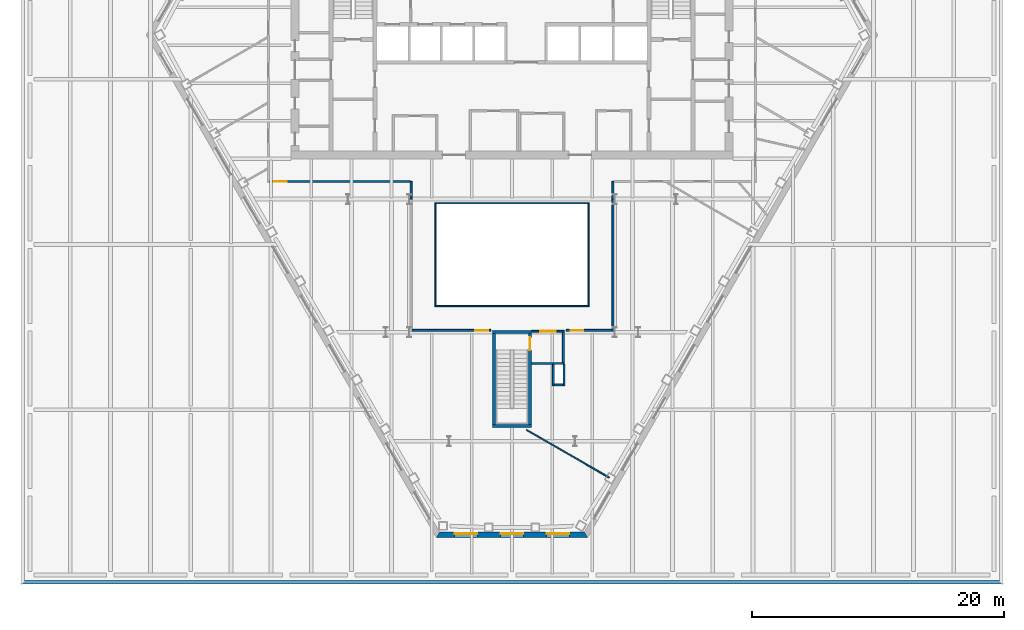
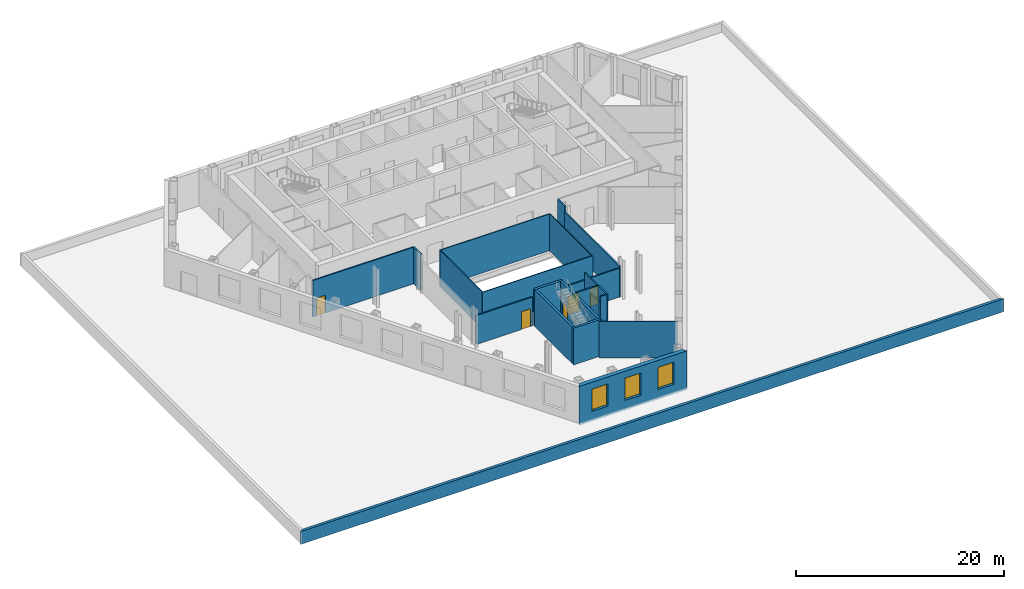
# One storey, part 6 of 14: 23 walls, 5 doors, 3 windows, 8 openings.
"""IFC4 building model written with IfcOpenShell, lengths in metres."""

from ifc_helpers import new_model, si_unit, direction, frame, frame_2d, origin, place, context, subcontext, project, spatial, polyline, rectangle, outline, extrude, material, layer, layer_set, type_object, element, fill, save


model = new_model("IFC4")

# Units and contexts
model_context = context("Model", 3, precision=1e-05, world=origin(), true_north=direction((0.0, 1.0)))
body_context = subcontext(model_context, "Body", "Model", "MODEL_VIEW")
ifc_project = project(units=[si_unit("LENGTHUNIT", "METRE"), si_unit("AREAUNIT", "SQUARE_METRE"), si_unit("VOLUMEUNIT", "CUBIC_METRE"), si_unit("PLANEANGLEUNIT", "RADIAN"), si_unit("MASSUNIT", "GRAM", prefix="KILO")], contexts=[model_context])

# Site, building, storey
site_placement = place(None, origin())
site = spatial("IfcSite", under=ifc_project, at=site_placement, CompositionType="ELEMENT")
building_placement = place(site_placement, origin())
building = spatial("IfcBuilding", under=site, at=building_placement, Name="Njiva Tower", CompositionType="ELEMENT")
storey_placement = place(building_placement, frame((0.0, 0.0, 28.8)))
storey = spatial("IfcBuildingStorey", under=building, at=storey_placement, Name="L05", CompositionType="ELEMENT", Elevation=28.8)

# Wall
ifc_material_1 = material(Name="Gypsum board on steel studs", Category="gypsum")
ifc_layer_1 = layer(ifc_material_1, 0.1)
ifc_layer_set_1 = layer_set([ifc_layer_1], Name="Gypsum board on steel studs")
wall_type_1 = type_object("IfcWallType", Name="WT20 Gypsum partition 100", PredefinedType="PARTITIONING", material=ifc_layer_set_1)
wall_1_placement = place(storey_placement, frame((1.157, -21.493, 0.0), z_axis=(0.0, 0.0, 1.0), x_axis=(0.865881620636, -0.500248957066, 0.0)))
element("IfcWall", 1, at=wall_1_placement, inside=storey, type_object=wall_type_1, Name="Partition S01-P008", PredefinedType="PARTITIONING", context=body_context, shape_type="SweptSolid", body=[
    extrude(rectangle(XDim=7.5622, YDim=0.1, at=frame_2d((3.7811, 0.0))), origin(), (0.0, 0.0, 1.0), 4.3),
])

# Wall, opening, door
ifc_layer_2 = layer(ifc_material_1, 0.15)
ifc_layer_set_2 = layer_set([ifc_layer_2], Name="Gypsum board on steel studs")
wall_type_2 = type_object("IfcWallType", Name="WT21 Compartment wall 150", PredefinedType="PARTITIONING", material=ifc_layer_set_2)
wall_2_placement = place(storey_placement, frame((-19.225, -1.8, 0.0), z_axis=(0.0, 0.0, 1.0), x_axis=(1.0, 0.0, 0.0)))
wall_2 = element("IfcWall", 2, at=wall_2_placement, inside=storey, type_object=wall_type_2, Name="Partition S01-P005", PredefinedType="PARTITIONING", context=body_context, shape_type="SweptSolid", body=[
    extrude(rectangle(XDim=11.15, YDim=0.15, at=frame_2d((5.575, 0.0))), origin(), (0.0, 0.0, 1.0), 4.3),
])
opening_1_placement = place(wall_2_placement, frame((0.369, 0.0, 0.0)))
opening_1 = element("IfcOpeningElement", 3, at=opening_1_placement, cuts=wall_2, Name="Opening S01-D005", PredefinedType="OPENING", context=body_context, shape_type="SweptSolid", body=[
    extrude(rectangle(XDim=1.0, YDim=2.1, at=frame_2d((0.5, 1.05))), frame((0.0, 0.085, 0.0), z_axis=(0.0, -1.0, 0.0), x_axis=(1.0, 0.0, 0.0)), (0.0, 0.0, 1.0), 0.17),
])
ifc_material_2 = material(Name="Steel fire door set", Category="steel")
door_type_1 = type_object("IfcDoorType", Name="D37 Fire door 1000x2100", OperationType="SINGLE_SWING_LEFT", PredefinedType="DOOR", material=ifc_material_2)
door_1_placement = place(opening_1_placement, origin())
door_1 = element("IfcDoor", 4, at=door_1_placement, inside=storey, type_object=door_type_1, Name="Door S01-D005", OperationType="SINGLE_SWING_RIGHT", OverallHeight=2.1, OverallWidth=1.0, PredefinedType="DOOR", context=body_context, shape_type="SweptSolid", body=[
    extrude(rectangle(XDim=1.0, YDim=2.1, at=frame_2d((0.5, 1.05))), frame((0.0, 0.025, 0.0), z_axis=(0.0, -1.0, 0.0), x_axis=(1.0, 0.0, 0.0)), (0.0, 0.0, 1.0), 0.05),
])
fill(opening_1, door_1)

# Wall
wall_3_placement = place(storey_placement, frame((-8.0, -3.2, 0.0), z_axis=(0.0, 0.0, 1.0), x_axis=(0.0, 1.0, 0.0)))
element("IfcWall", 5, at=wall_3_placement, inside=storey, type_object=wall_type_2, Name="Partition S01-P006A", PredefinedType="PARTITIONING", context=body_context, shape_type="SweptSolid", body=[
    extrude(rectangle(XDim=1.411, YDim=0.15, at=frame_2d((0.7055, 0.0))), origin(), (0.0, 0.0, 1.0), 4.3),
])

# Wall, opening, door
wall_4_placement = place(storey_placement, frame((-7.925, -13.6, 0.0), z_axis=(0.0, 0.0, 1.0), x_axis=(1.0, 0.0, 0.0)))
wall_4 = element("IfcWall", 6, at=wall_4_placement, inside=storey, type_object=wall_type_2, Name="Partition S01-P007", PredefinedType="PARTITIONING", context=body_context, shape_type="SweptSolid", body=[
    extrude(rectangle(XDim=6.225, YDim=0.15, at=frame_2d((3.1125, 0.0))), origin(), (0.0, 0.0, 1.0), 3.39),
])
opening_2_placement = place(wall_4_placement, frame((5.025, 0.0, 0.0)))
opening_2 = element("IfcOpeningElement", 7, at=opening_2_placement, cuts=wall_4, Name="Opening S01-D006", PredefinedType="OPENING", context=body_context, shape_type="SweptSolid", body=[
    extrude(rectangle(XDim=1.0, YDim=2.1, at=frame_2d((0.5, 1.05))), frame((0.0, 0.085, 0.0), z_axis=(0.0, -1.0, 0.0), x_axis=(1.0, 0.0, 0.0)), (0.0, 0.0, 1.0), 0.17),
])
door_2_placement = place(opening_2_placement, origin())
door_2 = element("IfcDoor", 8, at=door_2_placement, inside=storey, type_object=door_type_1, Name="Door S01-D006", OperationType="SINGLE_SWING_LEFT", OverallHeight=2.1, OverallWidth=1.0, PredefinedType="DOOR", context=body_context, shape_type="SweptSolid", body=[
    extrude(rectangle(XDim=1.0, YDim=2.1, at=frame_2d((0.5, 1.05))), frame((0.0, 0.025, 0.0), z_axis=(0.0, -1.0, 0.0), x_axis=(1.0, 0.0, 0.0)), (0.0, 0.0, 1.0), 0.05),
])
fill(opening_2, door_2)

wall_5_placement = place(storey_placement, frame((4.3, -13.6, 0.0), z_axis=(0.0, 0.0, 1.0), x_axis=(1.0, 0.0, 0.0)))
wall_5 = element("IfcWall", 9, at=wall_5_placement, inside=storey, type_object=wall_type_2, Name="Partition S01-P009", PredefinedType="PARTITIONING", context=body_context, shape_type="SweptSolid", body=[
    extrude(rectangle(XDim=3.625, YDim=0.15, at=frame_2d((1.8125, 0.0))), origin(), (0.0, 0.0, 1.0), 3.39),
])
opening_3_placement = place(wall_5_placement, frame((0.356, 0.0, 0.0)))
opening_3 = element("IfcOpeningElement", 10, at=opening_3_placement, cuts=wall_5, Name="Opening S01-D007", PredefinedType="OPENING", context=body_context, shape_type="SweptSolid", body=[
    extrude(rectangle(XDim=1.0, YDim=2.1, at=frame_2d((0.5, 1.05))), frame((0.0, 0.085, 0.0), z_axis=(0.0, -1.0, 0.0), x_axis=(1.0, 0.0, 0.0)), (0.0, 0.0, 1.0), 0.17),
])
door_3_placement = place(opening_3_placement, origin())
door_3 = element("IfcDoor", 11, at=door_3_placement, inside=storey, type_object=door_type_1, Name="Door S01-D007", OperationType="SINGLE_SWING_RIGHT", OverallHeight=2.1, OverallWidth=1.0, PredefinedType="DOOR", context=body_context, shape_type="SweptSolid", body=[
    extrude(rectangle(XDim=1.0, YDim=2.1, at=frame_2d((0.5, 1.05))), frame((0.0, 0.025, 0.0), z_axis=(0.0, -1.0, 0.0), x_axis=(1.0, 0.0, 0.0)), (0.0, 0.0, 1.0), 0.05),
])
fill(opening_3, door_3)

# Walls
wall_6_placement = place(storey_placement, frame((8.0, -13.675, 0.0), z_axis=(0.0, 0.0, 1.0), x_axis=(0.0, 1.0, 0.0)))
element("IfcWall", 12, at=wall_6_placement, inside=storey, type_object=wall_type_2, Name="Partition S01-P010", PredefinedType="PARTITIONING", context=body_context, shape_type="SweptSolid", body=[
    extrude(rectangle(XDim=10.475, YDim=0.15, at=frame_2d((5.2375, 0.0))), origin(), (0.0, 0.0, 1.0), 3.61),
])
wall_7_placement = place(storey_placement, frame((8.0, -3.2, 0.0), z_axis=(0.0, 0.0, 1.0), x_axis=(0.0, 1.0, 0.0)))
element("IfcWall", 13, at=wall_7_placement, inside=storey, type_object=wall_type_2, Name="Partition S01-P010A", PredefinedType="PARTITIONING", context=body_context, shape_type="SweptSolid", body=[
    extrude(rectangle(XDim=1.411, YDim=0.15, at=frame_2d((0.7055, 0.0))), origin(), (0.0, 0.0, 1.0), 4.3),
])
ifc_material_3 = material(Name="Blockwork", Category="masonry")
ifc_layer_3 = layer(ifc_material_3, 0.15)
ifc_layer_set_3 = layer_set([ifc_layer_3], Name="Blockwork")
wall_type_3 = type_object("IfcWallType", Name="WT4 Stair partition 150", PredefinedType="PARTITIONING", material=ifc_layer_set_3)
wall_8_placement = place(storey_placement, frame((1.55, -16.225, 0.0), z_axis=(0.0, 0.0, 1.0), x_axis=(1.0, 0.0, 0.0)))
element("IfcWall", 14, at=wall_8_placement, inside=storey, type_object=wall_type_3, Name="Stair C vestibule wall south", PredefinedType="PARTITIONING", context=body_context, shape_type="SweptSolid", body=[
    extrude(rectangle(XDim=2.6, YDim=0.15, at=frame_2d((1.3, 0.0))), origin(), (0.0, 0.0, 1.0), 4.3),
])
wall_9_placement = place(storey_placement, frame((4.075, -16.15, 0.0), z_axis=(0.0, 0.0, 1.0), x_axis=(0.0, 1.0, 0.0)))
element("IfcWall", 15, at=wall_9_placement, inside=storey, type_object=wall_type_3, Name="Stair C vestibule wall east", PredefinedType="PARTITIONING", context=body_context, shape_type="SweptSolid", body=[
    extrude(rectangle(XDim=2.4, YDim=0.15, at=frame_2d((1.2, 0.0))), origin(), (0.0, 0.0, 1.0), 4.3),
])

# Wall, opening, door
wall_10_placement = place(storey_placement, frame((1.55, -13.675, 0.0), z_axis=(0.0, 0.0, 1.0), x_axis=(1.0, 0.0, 0.0)))
wall_10 = element("IfcWall", 16, at=wall_10_placement, inside=storey, type_object=wall_type_3, Name="Stair C vestibule wall north", PredefinedType="PARTITIONING", context=body_context, shape_type="SweptSolid", body=[
    extrude(rectangle(XDim=2.6, YDim=0.15, at=frame_2d((1.3, 0.0))), origin(), (0.0, 0.0, 1.0), 3.39),
])
opening_4_placement = place(wall_10_placement, frame((0.675, 0.0, 0.0)))
opening_4 = element("IfcOpeningElement", 17, at=opening_4_placement, cuts=wall_10, Name="Opening S01-D940", PredefinedType="OPENING", context=body_context, shape_type="SweptSolid", body=[
    extrude(rectangle(XDim=1.25, YDim=2.1, at=frame_2d((0.625, 1.05))), frame((0.0, 0.085, 0.0), z_axis=(0.0, -1.0, 0.0), x_axis=(1.0, 0.0, 0.0)), (0.0, 0.0, 1.0), 0.17),
])
ifc_material_4 = material(Name="Glazed steel fire door", Category="steel")
door_type_2 = type_object("IfcDoorType", Name="D8 Vestibule corridor door 1250x2100 glazed", OperationType="SINGLE_SWING_LEFT", PredefinedType="DOOR", material=ifc_material_4)
door_4_placement = place(opening_4_placement, origin())
door_4 = element("IfcDoor", 18, at=door_4_placement, inside=storey, type_object=door_type_2, Name="Stair vestibule corridor door", OperationType="SINGLE_SWING_RIGHT", OverallHeight=2.1, OverallWidth=1.25, PredefinedType="DOOR", context=body_context, shape_type="SweptSolid", body=[
    extrude(rectangle(XDim=1.25, YDim=2.1, at=frame_2d((0.625, 1.05))), frame((0.0, 0.025, 0.0), z_axis=(0.0, -1.0, 0.0), x_axis=(1.0, 0.0, 0.0)), (0.0, 0.0, 1.0), 0.05),
])
fill(opening_4, door_4)

# Walls
wall_11_placement = place(storey_placement, frame((3.275, -18.0, 0.0), z_axis=(0.0, 0.0, 1.0), x_axis=(0.0, 1.0, 0.0)))
element("IfcWall", 19, at=wall_11_placement, inside=storey, type_object=wall_type_3, Name="Stair C pressurisation shaft wall", PredefinedType="PARTITIONING", context=body_context, shape_type="SweptSolid", body=[
    extrude(rectangle(XDim=1.7, YDim=0.15, at=frame_2d((0.85, 0.0))), origin(), (0.0, 0.0, 1.0), 3.7),
])
wall_12_placement = place(storey_placement, frame((3.35, -17.925, 0.0), z_axis=(0.0, 0.0, 1.0), x_axis=(1.0, 0.0, 0.0)))
element("IfcWall", 20, at=wall_12_placement, inside=storey, type_object=wall_type_3, Name="Stair C pressurisation shaft wall", PredefinedType="PARTITIONING", context=body_context, shape_type="SweptSolid", body=[
    extrude(rectangle(XDim=0.7, YDim=0.15, at=frame_2d((0.35, 0.0))), origin(), (0.0, 0.0, 1.0), 4.3),
])
wall_13_placement = place(storey_placement, frame((4.125, -18.0, 0.0), z_axis=(0.0, 0.0, 1.0), x_axis=(0.0, 1.0, 0.0)))
element("IfcWall", 21, at=wall_13_placement, inside=storey, type_object=wall_type_3, Name="Stair C pressurisation shaft wall", PredefinedType="PARTITIONING", context=body_context, shape_type="SweptSolid", body=[
    extrude(rectangle(XDim=1.7, YDim=0.15, at=frame_2d((0.85, 0.0))), origin(), (0.0, 0.0, 1.0), 4.3),
])
ifc_material_5 = material(Name="Concrete C40/50", Category="concrete")
ifc_layer_4 = layer(ifc_material_5, 0.25)
ifc_layer_set_4 = layer_set([ifc_layer_4], Name="Concrete C40/50")
wall_type_4 = type_object("IfcWallType", Name="WT9 Stair enclosure wall 250", PredefinedType="SHEAR", material=ifc_layer_set_4)
wall_14_placement = place(storey_placement, frame((-1.425, -21.05, 0.0), z_axis=(0.0, 0.0, 1.0), x_axis=(0.0, 1.0, 0.0)))
element("IfcWall", 22, at=wall_14_placement, inside=storey, type_object=wall_type_4, Name="Stair C wall west", PredefinedType="SHEAR", context=body_context, shape_type="SweptSolid", body=[
    extrude(rectangle(XDim=7.2, YDim=0.25, at=frame_2d((3.6, 0.0))), origin(), (0.0, 0.0, 1.0), 4.3),
])

# Wall, opening, door
wall_15_placement = place(storey_placement, frame((1.425, -21.05, 0.0), z_axis=(0.0, 0.0, 1.0), x_axis=(0.0, 1.0, 0.0)))
wall_15 = element("IfcWall", 23, at=wall_15_placement, inside=storey, type_object=wall_type_4, Name="Stair C wall east", PredefinedType="SHEAR", context=body_context, shape_type="SweptSolid", body=[
    extrude(rectangle(XDim=7.2, YDim=0.25, at=frame_2d((3.6, 0.0))), origin(), (0.0, 0.0, 1.0), 4.3),
])
opening_5_placement = place(wall_15_placement, frame((5.89, 0.0, 0.0)))
opening_5 = element("IfcOpeningElement", 24, at=opening_5_placement, cuts=wall_15, Name="Opening S01-D939", PredefinedType="OPENING", context=body_context, shape_type="SweptSolid", body=[
    extrude(rectangle(XDim=1.0, YDim=2.1, at=frame_2d((0.5, 1.05))), frame((0.0, 0.135, 0.0), z_axis=(0.0, -1.0, 0.0), x_axis=(1.0, 0.0, 0.0)), (0.0, 0.0, 1.0), 0.27),
])
door_type_3 = type_object("IfcDoorType", Name="D9 Stair vestibule door 1000x2100 glazed", OperationType="SINGLE_SWING_LEFT", PredefinedType="DOOR", material=ifc_material_4)
door_5_placement = place(opening_5_placement, origin())
door_5 = element("IfcDoor", 25, at=door_5_placement, inside=storey, type_object=door_type_3, Name="Stair C door", OperationType="SINGLE_SWING_LEFT", OverallHeight=2.1, OverallWidth=1.0, PredefinedType="DOOR", context=body_context, shape_type="SweptSolid", body=[
    extrude(rectangle(XDim=1.0, YDim=2.1, at=frame_2d((0.5, 1.05))), frame((0.0, 0.025, 0.0), z_axis=(0.0, -1.0, 0.0), x_axis=(1.0, 0.0, 0.0)), (0.0, 0.0, 1.0), 0.05),
])
fill(opening_5, door_5)

# Walls
for number, where, z_axis, x_axis, name in (
    (26, (-1.55, -21.175, 0.0), (0.0, 0.0, 1.0), (1.0, 0.0, 0.0), "Stair C wall south"),
    (27, (-1.55, -13.725, 0.0), (0.0, 0.0, 1.0), (1.0, 0.0, 0.0), "Stair C wall north"),
):
    element("IfcWall", number, at=place(storey_placement, frame(where, z_axis=z_axis, x_axis=x_axis)), inside=storey, type_object=wall_type_4, Name=name, PredefinedType="SHEAR", context=body_context, shape_type="SweptSolid", body=[
        extrude(rectangle(XDim=3.1, YDim=0.25, at=frame_2d((1.55, 0.0))), origin(), (0.0, 0.0, 1.0), 4.3),
    ])
ifc_material_6 = material(Name="Brick masonry", Category="masonry")
ifc_layer_5 = layer(ifc_material_6, 0.3)
ifc_layer_set_5 = layer_set([ifc_layer_5], Name="Brick masonry")
wall_type_5 = type_object("IfcWallType", Name="WT92 Terrace parapet wall 300", PredefinedType="PARAPET", material=ifc_layer_set_5)
wall_16_placement = place(storey_placement, frame((-38.85, -33.575, -0.4), z_axis=(0.0, 0.0, 1.0), x_axis=(1.0, 0.0, 0.0)))
element("IfcWall", 28, at=wall_16_placement, inside=storey, type_object=wall_type_5, Name="Terrace parapet", PredefinedType="PARAPET", context=body_context, shape_type="SweptSolid", body=[
    extrude(outline(polyline([(-0.15, -0.15), (77.85, -0.15), (77.55, 0.15), (0.15, 0.15), (-0.15, -0.15)])), origin(), (0.0, 0.0, 1.0), 1.5),
])

# Wall, openings, windows
ifc_material_7 = material(Name="Brick masonry, buff", Category="masonry")
ifc_layer_6 = layer(ifc_material_7, 0.45)
ifc_layer_set_6 = layer_set([ifc_layer_6], Name="Brick masonry, buff")
wall_type_6 = type_object("IfcWallType", Name="WT94 Brick pier and spandrel wall 450, buff", PredefinedType="SOLIDWALL", material=ifc_layer_set_6)
wall_17_placement = place(storey_placement, frame((-5.8701, -29.8045, -0.23), z_axis=(0.0, 0.0, 1.0), x_axis=(1.0, 0.0, 0.0)))
wall_17 = element("IfcWall", 29, at=wall_17_placement, inside=storey, type_object=wall_type_6, Name="Facade wall S", PredefinedType="SOLIDWALL", context=body_context, shape_type="SweptSolid", body=[
    extrude(outline(polyline([(-0.1299, -0.225), (11.8701, -0.225), (11.6103, 0.225), (0.1299, 0.225), (-0.1299, -0.225)])), origin(), (0.0, 0.0, 1.0), 4.55),
])
opening_6_placement = place(wall_17_placement, frame((1.3164, 0.0, 1.13)))
opening_6 = element("IfcOpeningElement", 30, at=opening_6_placement, cuts=wall_17, Name="Opening S01-W19", PredefinedType="OPENING", context=body_context, shape_type="SweptSolid", body=[
    extrude(rectangle(XDim=1.8, YDim=2.6, at=frame_2d((0.9, 1.3))), frame((0.0, 0.235, 0.0), z_axis=(0.0, -1.0, 0.0), x_axis=(1.0, 0.0, 0.0)), (0.0, 0.0, 1.0), 0.47),
])
opening_7_placement = place(wall_17_placement, frame((4.9701, 0.0, 1.13)))
opening_7 = element("IfcOpeningElement", 31, at=opening_7_placement, cuts=wall_17, Name="Opening S01-W20", PredefinedType="OPENING", context=body_context, shape_type="SweptSolid", body=[
    extrude(rectangle(XDim=1.8, YDim=2.6, at=frame_2d((0.9, 1.3))), frame((0.0, 0.235, 0.0), z_axis=(0.0, -1.0, 0.0), x_axis=(1.0, 0.0, 0.0)), (0.0, 0.0, 1.0), 0.47),
])
opening_8_placement = place(wall_17_placement, frame((8.6237, 0.0, 1.13)))
opening_8 = element("IfcOpeningElement", 32, at=opening_8_placement, cuts=wall_17, Name="Opening S01-W21", PredefinedType="OPENING", context=body_context, shape_type="SweptSolid", body=[
    extrude(rectangle(XDim=1.8, YDim=2.6, at=frame_2d((0.9, 1.3))), frame((0.0, 0.235, 0.0), z_axis=(0.0, -1.0, 0.0), x_axis=(1.0, 0.0, 0.0)), (0.0, 0.0, 1.0), 0.47),
])
ifc_material_8 = material(Name="Clear glazing in aluminium frame", Category="aluminium")
window_type = type_object("IfcWindowType", Name="W96 Deep-set window 1800x2600", PartitioningType="SINGLE_PANEL", PredefinedType="WINDOW", material=ifc_material_8)
window_1_placement = place(opening_6_placement, origin())
window_1 = element("IfcWindow", 33, at=window_1_placement, inside=storey, type_object=window_type, Name="Window", OverallHeight=2.6, OverallWidth=1.8, PartitioningType="SINGLE_PANEL", PredefinedType="WINDOW", context=body_context, shape_type="SweptSolid", body=[
    extrude(rectangle(XDim=1.8, YDim=2.6, at=frame_2d((0.9, 1.3))), frame((0.0, 0.105, 0.0), z_axis=(0.0, -1.0, 0.0), x_axis=(1.0, 0.0, 0.0)), (0.0, 0.0, 1.0), 0.06),
])
fill(opening_6, window_1)
window_2_placement = place(opening_7_placement, origin())
window_2 = element("IfcWindow", 34, at=window_2_placement, inside=storey, type_object=window_type, Name="Window", OverallHeight=2.6, OverallWidth=1.8, PartitioningType="SINGLE_PANEL", PredefinedType="WINDOW", context=body_context, shape_type="SweptSolid", body=[
    extrude(rectangle(XDim=1.8, YDim=2.6, at=frame_2d((0.9, 1.3))), frame((0.0, 0.105, 0.0), z_axis=(0.0, -1.0, 0.0), x_axis=(1.0, 0.0, 0.0)), (0.0, 0.0, 1.0), 0.06),
])
fill(opening_7, window_2)
window_3_placement = place(opening_8_placement, origin())
window_3 = element("IfcWindow", 35, at=window_3_placement, inside=storey, type_object=window_type, Name="Window", OverallHeight=2.6, OverallWidth=1.8, PartitioningType="SINGLE_PANEL", PredefinedType="WINDOW", context=body_context, shape_type="SweptSolid", body=[
    extrude(rectangle(XDim=1.8, YDim=2.6, at=frame_2d((0.9, 1.3))), frame((0.0, 0.105, 0.0), z_axis=(0.0, -1.0, 0.0), x_axis=(1.0, 0.0, 0.0)), (0.0, 0.0, 1.0), 0.06),
])
fill(opening_8, window_3)

# Walls
ifc_material_9 = material(Name="Fire-resisting glazing EI 90", Category="glass")
ifc_layer_7 = layer(ifc_material_9, 0.1)
ifc_layer_set_7 = layer_set([ifc_layer_7], Name="Fire-resisting glazing EI 90")
wall_type_7 = type_object("IfcWallType", Name="WT95 Fire-resisting glazed screen EI 90", PredefinedType="PARTITIONING", material=ifc_layer_set_7)
wall_18_placement = place(storey_placement, frame((-6.12, -11.67, 0.0), z_axis=(0.0, 0.0, 1.0), x_axis=(1.0, 0.0, 0.0)))
element("IfcWall", 36, at=wall_18_placement, inside=storey, type_object=wall_type_7, Name="Atrium fire screen south", PredefinedType="PARTITIONING", context=body_context, shape_type="SweptSolid", body=[
    extrude(rectangle(XDim=12.24, YDim=0.1, at=frame_2d((6.12, 0.0))), origin(), (0.0, 0.0, 1.0), 4.3),
])
wall_19_placement = place(storey_placement, frame((6.07, -11.62, 0.0), z_axis=(0.0, 0.0, 1.0), x_axis=(0.0, 1.0, 0.0)))
element("IfcWall", 37, at=wall_19_placement, inside=storey, type_object=wall_type_7, Name="Atrium fire screen east", PredefinedType="PARTITIONING", context=body_context, shape_type="SweptSolid", body=[
    extrude(rectangle(XDim=8.04, YDim=0.1, at=frame_2d((4.02, 0.0))), origin(), (0.0, 0.0, 1.0), 4.3),
])
wall_20_placement = place(storey_placement, frame((6.12, -3.53, 0.0), z_axis=(0.0, 0.0, 1.0), x_axis=(-1.0, 0.0, 0.0)))
element("IfcWall", 38, at=wall_20_placement, inside=storey, type_object=wall_type_7, Name="Atrium fire screen north", PredefinedType="PARTITIONING", context=body_context, shape_type="SweptSolid", body=[
    extrude(rectangle(XDim=12.24, YDim=0.1, at=frame_2d((6.12, 0.0))), origin(), (0.0, 0.0, 1.0), 4.3),
])
wall_21_placement = place(storey_placement, frame((-6.07, -3.58, 0.0), z_axis=(0.0, 0.0, 1.0), x_axis=(0.0, -1.0, 0.0)))
element("IfcWall", 39, at=wall_21_placement, inside=storey, type_object=wall_type_7, Name="Atrium fire screen west", PredefinedType="PARTITIONING", context=body_context, shape_type="SweptSolid", body=[
    extrude(rectangle(XDim=8.04, YDim=0.1, at=frame_2d((4.02, 0.0))), origin(), (0.0, 0.0, 1.0), 4.3),
])

save(model, "model.ifc")
